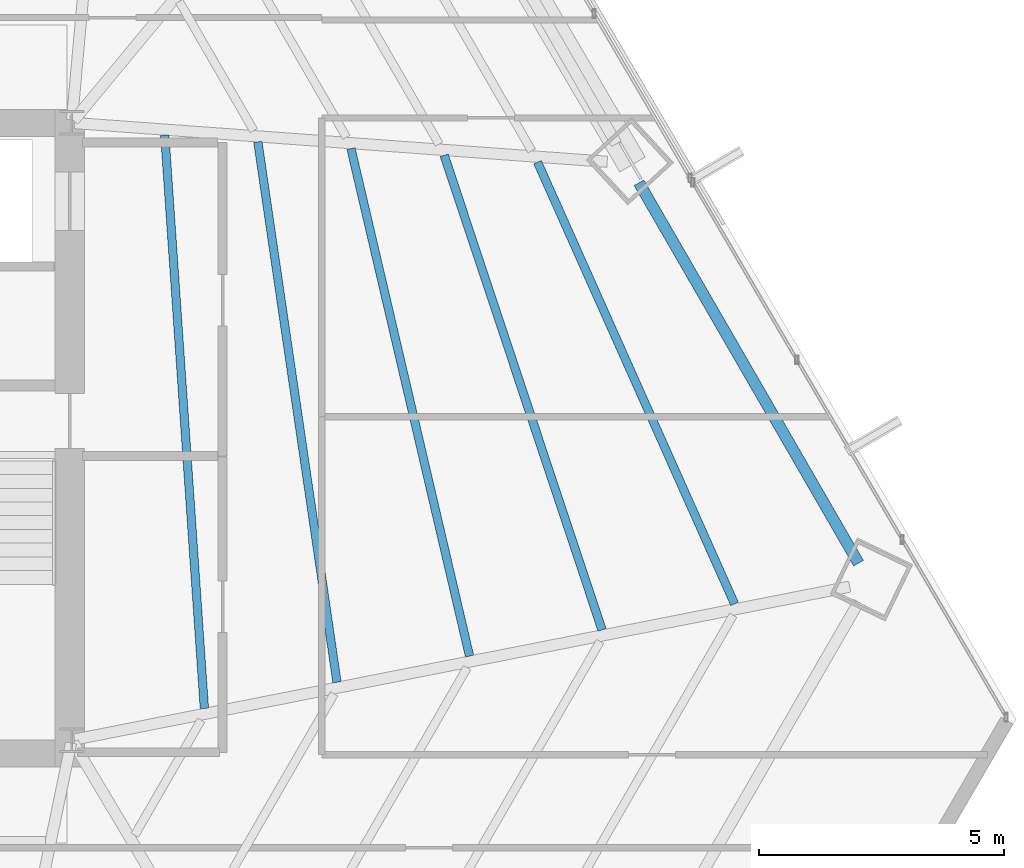
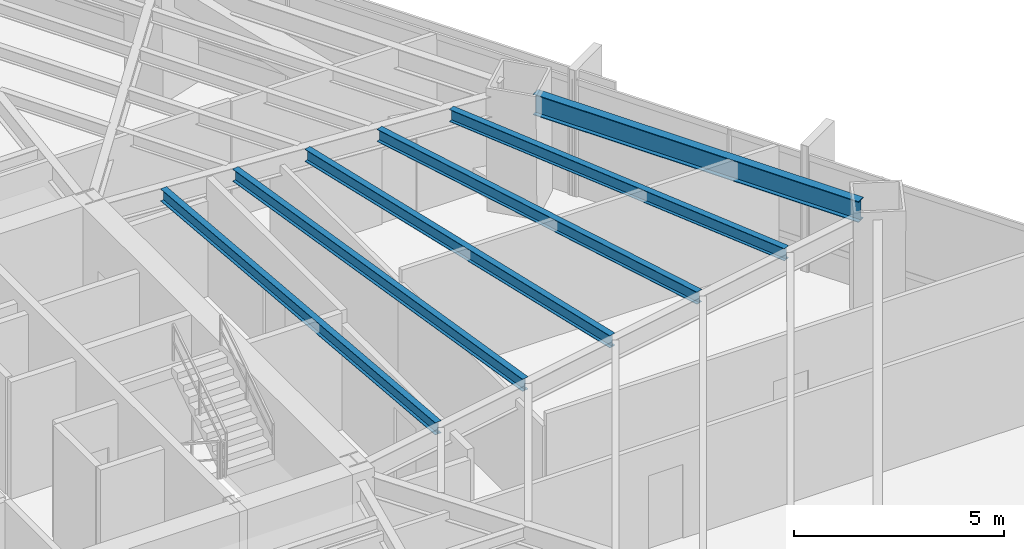
# One storey, part 17 of 33: 6 beams.
"""IFC4 building model written with IfcOpenShell, lengths in metres."""

from ifc_helpers import new_model, si_unit, direction, frame, origin, origin_2d, place, context, subcontext, project, spatial, i_section, extrude, source, transform, mapped, material, material_profile, profile_set, type_object, type_shapes, element, save


model = new_model("IFC4")

# Units and contexts
model_context = context("Model", 3, precision=1e-05, world=origin(), true_north=direction((0.0, 1.0)))
body_context = subcontext(model_context, "Body", "Model", "MODEL_VIEW")
ifc_project = project(units=[si_unit("LENGTHUNIT", "METRE"), si_unit("AREAUNIT", "SQUARE_METRE"), si_unit("VOLUMEUNIT", "CUBIC_METRE"), si_unit("PLANEANGLEUNIT", "RADIAN"), si_unit("MASSUNIT", "GRAM", prefix="KILO")], contexts=[model_context])

# Site, building, storey
site_placement = place(None, origin())
site = spatial("IfcSite", under=ifc_project, at=site_placement, CompositionType="ELEMENT")
building_placement = place(site_placement, origin())
building = spatial("IfcBuilding", under=site, at=building_placement, Name="Caelisora Broadcast Tower", CompositionType="ELEMENT")
storey_placement = place(building_placement, frame((0.0, 0.0, 38.550048828125)))
storey = spatial("IfcBuildingStorey", under=building, at=storey_placement, Name="L09", CompositionType="ELEMENT", Elevation=38.550048828125)

# Beams
ifc_material = material(Name="Steel Grade 350 (AS/NZS 3679.1)", Category="steel")
ifc_material_profile_1 = material_profile(ifc_material, i_section(OverallWidth=0.22900390625, OverallDepth=0.611572265625, WebThickness=0.011962890625, FlangeThickness=0.01953125, at=origin_2d()), Name="Steel Grade 350 (AS/NZS 3679.1)")
ifc_profile_set_1 = profile_set([ifc_material_profile_1], Name="Steel Grade 350 (AS/NZS 3679.1)")
beam_type_1 = type_object("IfcBeamType", Name="PG03", PredefinedType="BEAM", material=ifc_profile_set_1)
shared_shape_1 = source(origin(), body_context, "Body", "SweptSolid", [
    extrude(i_section(OverallWidth=0.22900390625, OverallDepth=0.611572265625, WebThickness=0.011962890625, FlangeThickness=0.01953125, at=origin_2d()), origin(), (0.0, 0.0, 1.0), 8.966064453125),
])
type_shapes(beam_type_1, [shared_shape_1])
beam_1_placement = place(storey_placement, frame((61.561767578125, 21.011474609375, 3.09423828125), z_axis=(-0.500019442688, 0.866014178252, 0.0), x_axis=(-0.866014178252, -0.500019442688, 0.0)))
element("IfcBeam", 1, at=beam_1_placement, inside=storey, type_object=beam_type_1, Name="L09 beam PG03", PredefinedType="BEAM", context=body_context, shape_type="MappedRepresentation", body=[
    mapped(shared_shape_1, transform((0.0, 0.0, 0.0), scale=1.0)),
])
ifc_material_profile_2 = material_profile(ifc_material, i_section(OverallWidth=0.172119140625, OverallDepth=0.358642578125, WebThickness=0.008056640625, FlangeThickness=0.012939453125, at=origin_2d()), Name="Steel Grade 350 (AS/NZS 3679.1)")
ifc_profile_set_2 = profile_set([ifc_material_profile_2], Name="Steel Grade 350 (AS/NZS 3679.1)")
beam_type_2 = type_object("IfcBeamType", Name="SB02", PredefinedType="JOIST", material=ifc_profile_set_2)
shared_shape_2 = source(origin(), body_context, "Body", "SweptSolid", [
    extrude(i_section(OverallWidth=0.172119140625, OverallDepth=0.358642578125, WebThickness=0.008056640625, FlangeThickness=0.012939453125, at=origin_2d()), origin(), (0.0, 0.0, 1.0), 11.731201171875),
])
beam_2_placement = place(storey_placement, frame((48.20751953125, 18.047119140625, 3.220703125), z_axis=(-0.068905654328, 0.997623180766, 0.0), x_axis=(-0.997623180766, -0.068905654328, 0.0)))
element("IfcBeam", 2, at=beam_2_placement, inside=storey, type_object=beam_type_2, Name="L09 beam SB02", PredefinedType="JOIST", context=body_context, shape_type="MappedRepresentation", body=[
    mapped(shared_shape_2, transform((0.0, 0.0, 0.0), scale=1.0)),
])
shared_shape_3 = source(origin(), body_context, "Body", "SweptSolid", [
    extrude(i_section(OverallWidth=0.172119140625, OverallDepth=0.358642578125, WebThickness=0.008056640625, FlangeThickness=0.012939453125, at=origin_2d()), origin(), (0.0, 0.0, 1.0), 11.14892578125),
])
beam_3_placement = place(storey_placement, frame((50.91455078125, 18.5810546875, 3.220703125), z_axis=(-0.144878661154, 0.989449429502, 0.0), x_axis=(-0.989449429502, -0.144878661154, 0.0)))
element("IfcBeam", 3, at=beam_3_placement, inside=storey, type_object=beam_type_2, Name="L09 beam SB02", PredefinedType="JOIST", context=body_context, shape_type="MappedRepresentation", body=[
    mapped(shared_shape_3, transform((0.0, 0.0, 0.0), scale=1.0)),
])
shared_shape_4 = source(origin(), body_context, "Body", "SweptSolid", [
    extrude(i_section(OverallWidth=0.172119140625, OverallDepth=0.358642578125, WebThickness=0.008056640625, FlangeThickness=0.012939453125, at=origin_2d()), origin(), (0.0, 0.0, 1.0), 10.63818359375),
])
beam_4_placement = place(storey_placement, frame((53.62060546875, 19.11474609375, 3.220703125), z_axis=(-0.227473369131, 0.973784301751, 0.0), x_axis=(-0.973784301751, -0.227473369131, 0.0)))
element("IfcBeam", 4, at=beam_4_placement, inside=storey, type_object=beam_type_2, Name="L09 beam SB02", PredefinedType="JOIST", context=body_context, shape_type="MappedRepresentation", body=[
    mapped(shared_shape_4, transform((0.0, 0.0, 0.0), scale=1.0)),
])
shared_shape_5 = source(origin(), body_context, "Body", "SweptSolid", [
    extrude(i_section(OverallWidth=0.172119140625, OverallDepth=0.358642578125, WebThickness=0.008056640625, FlangeThickness=0.012939453125, at=origin_2d()), origin(), (0.0, 0.0, 1.0), 10.208984375),
])
beam_5_placement = place(storey_placement, frame((56.32568359375, 19.648193359375, 3.220703125), z_axis=(-0.315596359787, 0.948893533379, 0.0), x_axis=(-0.948893533379, -0.315596359787, 0.0)))
element("IfcBeam", 5, at=beam_5_placement, inside=storey, type_object=beam_type_2, Name="L09 beam SB02", PredefinedType="JOIST", context=body_context, shape_type="MappedRepresentation", body=[
    mapped(shared_shape_5, transform((0.0, 0.0, 0.0), scale=1.0)),
])
shared_shape_6 = source(origin(), body_context, "Body", "SweptSolid", [
    extrude(i_section(OverallWidth=0.172119140625, OverallDepth=0.358642578125, WebThickness=0.008056640625, FlangeThickness=0.012939453125, at=origin_2d()), origin(), (0.0, 0.0, 1.0), 9.871337890625),
])
type_shapes(beam_type_2, [shared_shape_2, shared_shape_3, shared_shape_4, shared_shape_5, shared_shape_6])
beam_6_placement = place(storey_placement, frame((59.030029296875, 20.181640625, 3.220703125), z_axis=(-0.407365790731, 0.913265083391, 0.0), x_axis=(-0.913265083391, -0.407365790731, 0.0)))
element("IfcBeam", 6, at=beam_6_placement, inside=storey, type_object=beam_type_2, Name="L09 beam SB02", PredefinedType="JOIST", context=body_context, shape_type="MappedRepresentation", body=[
    mapped(shared_shape_6, transform((0.0, 0.0, 0.0), scale=1.0)),
])

save(model, "model.ifc")
